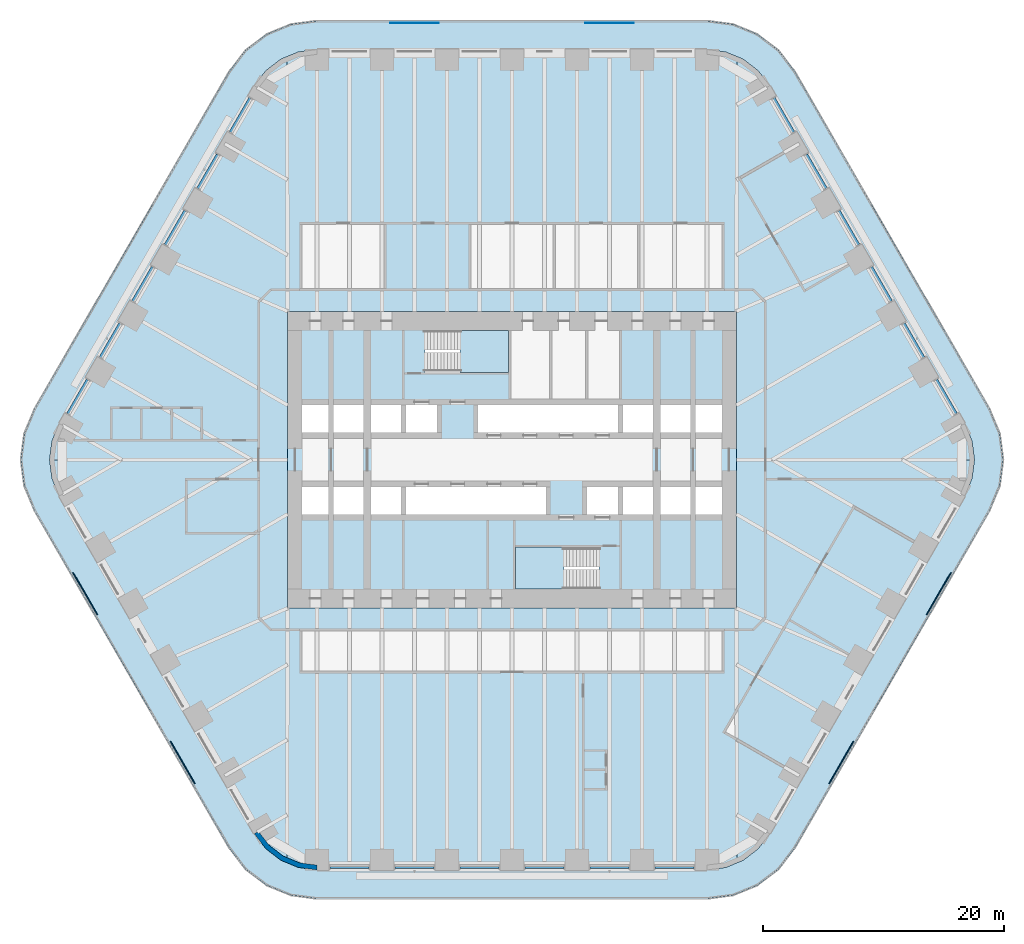
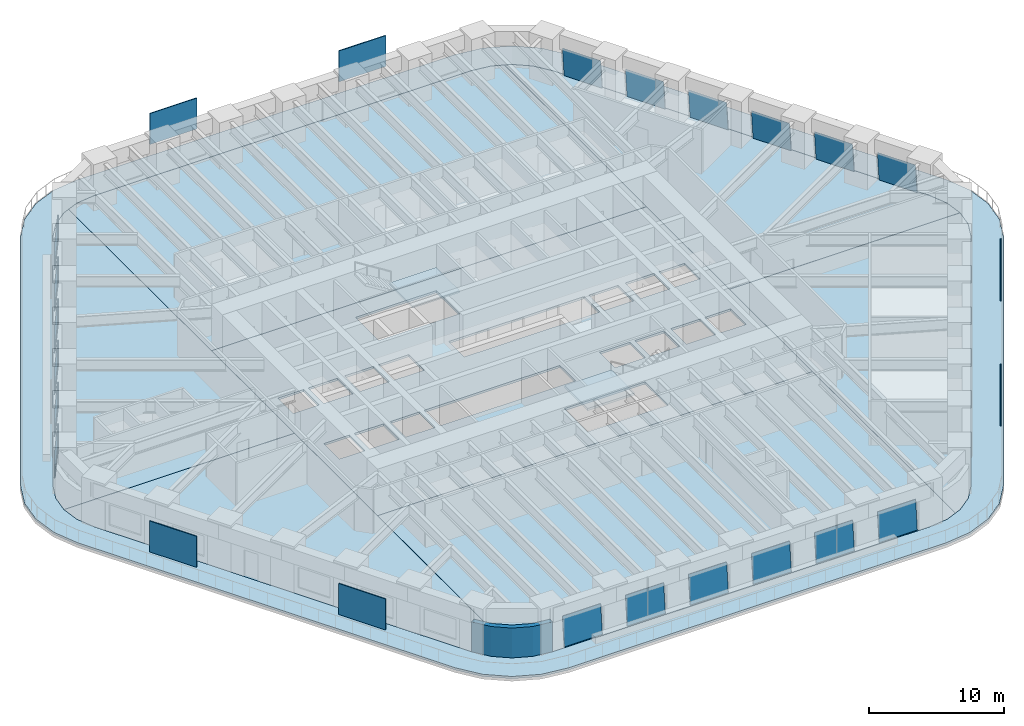
# One storey, part 15 of 23: 24 plates, 10 slabs, 1 wall, 20 elements without a shape of their own.
"""IFC4 building model written with IfcOpenShell, lengths in metres."""

from ifc_helpers import new_model, si_unit, direction, frame, origin, origin_2d, place, context, subcontext, project, spatial, polyline, rectangle, outline, extrude, material, layer, layer_set, type_object, element, aggregate, save


model = new_model("IFC4")

# Units and contexts
model_context = context("Model", 3, precision=1e-05, world=origin(), true_north=direction((0.0, 1.0)))
body_context = subcontext(model_context, "Body", "Model", "MODEL_VIEW")
ifc_project = project(units=[si_unit("LENGTHUNIT", "METRE"), si_unit("AREAUNIT", "SQUARE_METRE"), si_unit("VOLUMEUNIT", "CUBIC_METRE"), si_unit("PLANEANGLEUNIT", "RADIAN"), si_unit("MASSUNIT", "GRAM", prefix="KILO")], contexts=[model_context])

# Site, building, storey
site_placement = place(None, origin())
site = spatial("IfcSite", under=ifc_project, at=site_placement, CompositionType="ELEMENT")
building_placement = place(site_placement, origin())
building = spatial("IfcBuilding", under=site, at=building_placement, Name="Tarfa Lantern Tower", CompositionType="ELEMENT")
storey_placement = place(building_placement, frame((0.0, 0.0, 57.10009765625)))
storey = spatial("IfcBuildingStorey", under=building, at=storey_placement, Name="L12", CompositionType="ELEMENT", Elevation=57.10009765625)

# Slab
ifc_material_1 = material(Name="Concrete C40/50", Category="concrete")
ifc_layer_1 = layer(ifc_material_1, 0.199951171875)
ifc_layer_set_1 = layer_set([ifc_layer_1], Name="BS2 BALCONY SLAB 200")
slab_type_1 = type_object("IfcSlabType", Name="BS2 BALCONY SLAB 200", PredefinedType="FLOOR", material=ifc_layer_set_1)
slab_1_placement = place(storey_placement, frame((0.0, 0.0, -0.2001953125)))
element("IfcSlab", 1, at=slab_1_placement, inside=storey, type_object=slab_type_1, Name="Balcony L12", PredefinedType="FLOOR", context=body_context, shape_type="SweptSolid", body=[
    extrude(outline(polyline([(39.606201171875, 4.199951171875), (23.4404296875, 32.199951171875), (22.10546875, 33.939697265625), (20.36572265625, 35.274658203125), (18.33984375, 36.11376953125), (16.165771484375, 36.39990234375), (-16.165771484375, 36.39990234375), (-18.33984375, 36.11376953125), (-20.36572265625, 35.274658203125), (-22.10546875, 33.939697265625), (-23.4404296875, 32.199951171875), (-39.606201171875, 4.199951171875), (-40.4453125, 2.174072265625), (-40.731689453125, 0.0), (-40.4453125, -2.174072265625), (-39.606201171875, -4.199951171875), (-23.4404296875, -32.199951171875), (-22.10546875, -33.939697265625), (-20.36572265625, -35.274658203125), (-18.33984375, -36.11376953125), (-16.165771484375, -36.39990234375), (16.165771484375, -36.39990234375), (18.33984375, -36.11376953125), (20.36572265625, -35.274658203125), (22.10546875, -33.939697265625), (23.4404296875, -32.199951171875), (39.606201171875, -4.199951171875), (40.4453125, -2.174072265625), (40.731689453125, 0.0), (40.4453125, 2.174072265625), (39.606201171875, 4.199951171875)]), holes=[polyline([(37.52783203125, 3.0), (21.362060546875, 31.0), (20.408447265625, 32.24267578125), (19.165771484375, 33.196044921875), (17.71875, 33.795654296875), (16.165771484375, 34.0), (-16.165771484375, 34.0), (-17.71875, 33.795654296875), (-19.165771484375, 33.196044921875), (-20.408447265625, 32.24267578125), (-21.362060546875, 31.0), (-37.52783203125, 3.0), (-38.127197265625, 1.552978515625), (-38.33154296875, 0.0), (-38.127197265625, -1.552978515625), (-37.52783203125, -3.0), (-21.362060546875, -31.0), (-20.408447265625, -32.24267578125), (-19.165771484375, -33.196044921875), (-17.71875, -33.795654296875), (-16.165771484375, -34.0), (16.165771484375, -34.0), (17.71875, -33.795654296875), (19.165771484375, -33.196044921875), (20.408447265625, -32.24267578125), (21.362060546875, -31.0), (37.52783203125, -3.0), (38.127197265625, -1.552978515625), (38.33154296875, 0.0), (38.127197265625, 1.552978515625), (37.52783203125, 3.0)])]), origin(), (0.0, 0.0, 1.0), 0.2001953125),
])

# Curtain wall, plate
ifc_material_2 = material(Name="Aluminium framed curtain wall", Category="aluminium")
curtain_wall_type = type_object("IfcCurtainWallType", Name="CW1 CANTED GLAZING LOW ZONE 2700", PredefinedType="USERDEFINED", material=ifc_material_2)
curtain_wall_1_placement = place(storey_placement, origin())
curtain_wall_1 = element("IfcCurtainWall", 2, at=curtain_wall_1_placement, inside=storey, type_object=curtain_wall_type, Name="CW1 NE L12", ObjectType="CURTAIN WALL", PredefinedType="USERDEFINED")
ifc_material_3 = material(Name="Laminated double glazing", Category="glass")
ifc_layer_2 = layer(ifc_material_3, 0.028076171875)
ifc_layer_set_2 = layer_set([ifc_layer_2], Name="CWP1 DOUBLE GLAZED PANEL")
plate_type_1 = type_object("IfcPlateType", Name="CWP1 DOUBLE GLAZED PANEL", PredefinedType="CURTAIN_PANEL", material=ifc_layer_set_2)
plate_1_placement = place(storey_placement, frame((36.90869140625, 3.872314453125, 0.0), z_axis=(0.862338266797, 0.497864384763, 0.09221587717), x_axis=(-0.499995082658, 0.86602824279, 2.978908e-06)))
plate_1 = element("IfcPlate", 3, at=plate_1_placement, type_object=plate_type_1, Name="CW1 panel 1.1", PredefinedType="CURTAIN_PANEL", context=body_context, shape_type="SweptSolid", body=[
    extrude(outline(polyline([(0.0, 0.0), (3.258639560562134, 0.0), (3.2585208536427297, 2.646275738901332), (3.3621925729925773e-06, 2.646295235988971), (0.0, 0.0)])), origin(), (0.0, 0.0, -1.0), 0.028076171875),
])
aggregate(curtain_wall_1, [plate_1])

curtain_wall_2_placement = place(storey_placement, origin())
curtain_wall_2 = element("IfcCurtainWall", 4, at=curtain_wall_2_placement, inside=storey, type_object=curtain_wall_type, Name="CW1 NE L12", ObjectType="CURTAIN WALL", PredefinedType="USERDEFINED")
plate_2_placement = place(storey_placement, frame((34.21435546875, 8.5390625, 0.0), z_axis=(0.862325290636, 0.497894194109, 0.092176269198), x_axis=(-0.500022939057, 0.866012159509, 0.0)))
plate_2 = element("IfcPlate", 5, at=plate_2_placement, type_object=plate_type_1, Name="CW1 panel 1.1", PredefinedType="CURTAIN_PANEL", context=body_context, shape_type="SweptSolid", body=[
    extrude(outline(polyline([(0.0, 0.0), (3.2586395622623687, 0.0), (3.2585208519425555, 2.6462757409948594), (-0.0001187103198132533, 2.6462757409948594), (0.0, 0.0)])), origin(), (0.0, 0.0, -1.0), 0.028076171875),
])
aggregate(curtain_wall_2, [plate_2])

curtain_wall_3_placement = place(storey_placement, origin())
curtain_wall_3 = element("IfcCurtainWall", 6, at=curtain_wall_3_placement, inside=storey, type_object=curtain_wall_type, Name="CW1 NE L12", ObjectType="CURTAIN WALL", PredefinedType="USERDEFINED")
plate_3_placement = place(storey_placement, frame((31.52001953125, 13.20556640625, 0.0), z_axis=(0.862341934097, 0.49786650205, 0.092170140692), x_axis=(-0.499994605049, 0.866028518533, -2.977555e-06)))
plate_3 = element("IfcPlate", 7, at=plate_3_placement, type_object=plate_type_1, Name="CW1 panel 1.1", PredefinedType="CURTAIN_PANEL", context=body_context, shape_type="SweptSolid", body=[
    extrude(outline(polyline([(0.0, 0.0), (3.258517491508472, 2.7755575615628914e-17), (3.2587164564684317, 2.646283977845527), (7.689596458644864e-05, 2.6462644896978658), (0.0, 0.0)])), origin(), (0.0, 0.0, -1.0), 0.028076171875),
])
aggregate(curtain_wall_3, [plate_3])

curtain_wall_4_placement = place(storey_placement, origin())
curtain_wall_4 = element("IfcCurtainWall", 8, at=curtain_wall_4_placement, inside=storey, type_object=curtain_wall_type, Name="CW1 NE L12", ObjectType="CURTAIN WALL", PredefinedType="USERDEFINED")
plate_4_placement = place(storey_placement, frame((28.82568359375, 17.872314453125, 0.0), z_axis=(0.862338266797, 0.497864384763, 0.09221587717), x_axis=(-0.499994604812, 0.86602851867, -2.97902e-06)))
plate_4 = element("IfcPlate", 9, at=plate_4_placement, type_object=plate_type_1, Name="CW1 panel 1.1", PredefinedType="CURTAIN_PANEL", context=body_context, shape_type="SweptSolid", body=[
    extrude(outline(polyline([(0.0, 0.0), (3.2585174915084862, -2.7755575615628914e-17), (3.2585050197979823, 2.646295235961718), (-0.000134540705819584, 2.646275738143688), (0.0, 0.0)])), origin(), (0.0, 0.0, -1.0), 0.028076171875),
])
aggregate(curtain_wall_4, [plate_4])

curtain_wall_5_placement = place(storey_placement, origin())
curtain_wall_5 = element("IfcCurtainWall", 10, at=curtain_wall_5_placement, inside=storey, type_object=curtain_wall_type, Name="CW1 NE L12", ObjectType="CURTAIN WALL", PredefinedType="USERDEFINED")
plate_5_placement = place(storey_placement, frame((26.13134765625, 22.5390625, 0.0), z_axis=(0.862338266797, 0.497864384763, 0.09221587717), x_axis=(-0.499994604812, 0.86602851867, -2.97902e-06)))
plate_5 = element("IfcPlate", 11, at=plate_5_placement, type_object=plate_type_1, Name="CW1 panel 1.1", PredefinedType="CURTAIN_PANEL", context=body_context, shape_type="SweptSolid", body=[
    extrude(outline(polyline([(0.0, 0.0), (3.2585174915084862, -2.7755575615628914e-17), (3.2585050197979823, 2.646295235961718), (-0.000134540705819584, 2.646275738143688), (0.0, 0.0)])), origin(), (0.0, 0.0, -1.0), 0.028076171875),
])
aggregate(curtain_wall_5, [plate_5])

curtain_wall_6_placement = place(storey_placement, origin())
curtain_wall_6 = element("IfcCurtainWall", 12, at=curtain_wall_6_placement, inside=storey, type_object=curtain_wall_type, Name="CW1 NE L12", ObjectType="CURTAIN WALL", PredefinedType="USERDEFINED")
plate_6_placement = place(storey_placement, frame((23.437255859375, 27.20556640625, 0.0), z_axis=(0.862341934097, 0.49786650205, 0.092170140692), x_axis=(-0.499995082421, 0.866028242926, 2.977443e-06)))
plate_6 = element("IfcPlate", 13, at=plate_6_placement, type_object=plate_type_1, Name="CW1 panel 1.1", PredefinedType="CURTAIN_PANEL", context=body_context, shape_type="SweptSolid", body=[
    extrude(outline(polyline([(0.0, 0.0), (3.2586395605621195, -2.7755575615628914e-17), (3.2587322823927347, 2.64626448919067), (0.0002147909425344405, 2.6462839766083026), (0.0, 0.0)])), origin(), (0.0, 0.0, -1.0), 0.028076171875),
])
aggregate(curtain_wall_6, [plate_6])

curtain_wall_7_placement = place(storey_placement, origin())
curtain_wall_7 = element("IfcCurtainWall", 14, at=curtain_wall_7_placement, inside=storey, type_object=curtain_wall_type, Name="CW1 NW L12", ObjectType="CURTAIN WALL", PredefinedType="USERDEFINED")
plate_7_placement = place(storey_placement, frame((-21.807861328125, 30.027587890625, 0.0), z_axis=(-0.862341934097, 0.49786650205, 0.092170140692), x_axis=(-0.499995082421, -0.866028242926, -2.977443e-06)))
plate_7 = element("IfcPlate", 15, at=plate_7_placement, type_object=plate_type_1, Name="CW1 panel 1.1", PredefinedType="CURTAIN_PANEL", context=body_context, shape_type="SweptSolid", body=[
    extrude(outline(polyline([(0.0, 0.0), (3.2586395605621195, 2.7755575615628914e-17), (3.2584247696195847, 2.6462839766083026), (-9.272183061532521e-05, 2.64626448919067), (0.0, 0.0)])), origin(), (0.0, 0.0, -1.0), 0.028076171875),
])
aggregate(curtain_wall_7, [plate_7])

curtain_wall_8_placement = place(storey_placement, origin())
curtain_wall_8 = element("IfcCurtainWall", 16, at=curtain_wall_8_placement, inside=storey, type_object=curtain_wall_type, Name="CW1 NW L12", ObjectType="CURTAIN WALL", PredefinedType="USERDEFINED")
plate_8_placement = place(storey_placement, frame((-24.502197265625, 25.361083984375, 0.0), z_axis=(-0.862338266797, 0.497864384763, 0.09221587717), x_axis=(-0.499994604812, -0.86602851867, 2.97902e-06)))
plate_8 = element("IfcPlate", 17, at=plate_8_placement, type_object=plate_type_1, Name="CW1 panel 1.1", PredefinedType="CURTAIN_PANEL", context=body_context, shape_type="SweptSolid", body=[
    extrude(outline(polyline([(0.0, 0.0), (3.2585174915084862, 2.7755575615628914e-17), (3.2586520322143055, 2.646275738143688), (1.2471710504126e-05, 2.646295235961718), (0.0, 0.0)])), origin(), (0.0, 0.0, -1.0), 0.028076171875),
])
aggregate(curtain_wall_8, [plate_8])

curtain_wall_9_placement = place(storey_placement, origin())
curtain_wall_9 = element("IfcCurtainWall", 18, at=curtain_wall_9_placement, inside=storey, type_object=curtain_wall_type, Name="CW1 NW L12", ObjectType="CURTAIN WALL", PredefinedType="USERDEFINED")
plate_9_placement = place(storey_placement, frame((-27.196533203125, 20.6943359375, 0.0), z_axis=(-0.862338266797, 0.497864384763, 0.09221587717), x_axis=(-0.499994604812, -0.86602851867, 2.97902e-06)))
plate_9 = element("IfcPlate", 19, at=plate_9_placement, type_object=plate_type_1, Name="CW1 panel 1.1", PredefinedType="CURTAIN_PANEL", context=body_context, shape_type="SweptSolid", body=[
    extrude(outline(polyline([(0.0, 0.0), (3.2585174915084862, 2.7755575615628914e-17), (3.2586520322143055, 2.646275738143688), (1.2471710504126e-05, 2.646295235961718), (0.0, 0.0)])), origin(), (0.0, 0.0, -1.0), 0.028076171875),
])
aggregate(curtain_wall_9, [plate_9])

curtain_wall_10_placement = place(storey_placement, origin())
curtain_wall_10 = element("IfcCurtainWall", 20, at=curtain_wall_10_placement, inside=storey, type_object=curtain_wall_type, Name="CW1 NW L12", ObjectType="CURTAIN WALL", PredefinedType="USERDEFINED")
plate_10_placement = place(storey_placement, frame((-29.890869140625, 16.027587890625, 0.0), z_axis=(-0.862341934097, 0.49786650205, 0.092170140692), x_axis=(-0.499994605049, -0.866028518533, 2.977555e-06)))
plate_10 = element("IfcPlate", 21, at=plate_10_placement, type_object=plate_type_1, Name="CW1 panel 1.1", PredefinedType="CURTAIN_PANEL", context=body_context, shape_type="SweptSolid", body=[
    extrude(outline(polyline([(0.0, 0.0), (3.258517491508472, -2.7755575615628914e-17), (3.258440595543886, 2.6462644896978658), (-0.00019896495995976314, 2.646283977845527), (0.0, 0.0)])), origin(), (0.0, 0.0, -1.0), 0.028076171875),
])
aggregate(curtain_wall_10, [plate_10])

curtain_wall_11_placement = place(storey_placement, origin())
curtain_wall_11 = element("IfcCurtainWall", 22, at=curtain_wall_11_placement, inside=storey, type_object=curtain_wall_type, Name="CW1 NW L12", ObjectType="CURTAIN WALL", PredefinedType="USERDEFINED")
plate_11_placement = place(storey_placement, frame((-32.5849609375, 11.361083984375, 0.0), z_axis=(-0.862325290636, 0.497894194109, 0.092176269198), x_axis=(-0.500022939057, -0.866012159509, 0.0)))
plate_11 = element("IfcPlate", 23, at=plate_11_placement, type_object=plate_type_1, Name="CW1 panel 1.1", PredefinedType="CURTAIN_PANEL", context=body_context, shape_type="SweptSolid", body=[
    extrude(outline(polyline([(0.0, 0.0), (3.2586395622623687, 0.0), (3.258758272582182, 2.6462757409948594), (0.0001187103198132533, 2.6462757409948594), (0.0, 0.0)])), origin(), (0.0, 0.0, -1.0), 0.028076171875),
])
aggregate(curtain_wall_11, [plate_11])

curtain_wall_12_placement = place(storey_placement, origin())
curtain_wall_12 = element("IfcCurtainWall", 24, at=curtain_wall_12_placement, inside=storey, type_object=curtain_wall_type, Name="CW1 NW L12", ObjectType="CURTAIN WALL", PredefinedType="USERDEFINED")
plate_12_placement = place(storey_placement, frame((-35.279296875, 6.6943359375, 0.0), z_axis=(-0.862338266797, 0.497864384763, 0.09221587717), x_axis=(-0.499995082658, -0.86602824279, -2.978908e-06)))
plate_12 = element("IfcPlate", 25, at=plate_12_placement, type_object=plate_type_1, Name="CW1 panel 1.1", PredefinedType="CURTAIN_PANEL", context=body_context, shape_type="SweptSolid", body=[
    extrude(outline(polyline([(0.0, 0.0), (3.258639560562134, 0.0), (3.258636198369561, 2.646295235988971), (0.00011870691940396534, 2.646275738901332), (0.0, 0.0)])), origin(), (0.0, 0.0, -1.0), 0.028076171875),
])
aggregate(curtain_wall_12, [plate_12])

curtain_wall_13_placement = place(storey_placement, origin())
curtain_wall_13 = element("IfcCurtainWall", 26, at=curtain_wall_13_placement, inside=storey, type_object=curtain_wall_type, Name="CW1 S L12", ObjectType="CURTAIN WALL", PredefinedType="USERDEFINED")
plate_13_placement = place(storey_placement, frame((-15.100830078125, -33.89990234375, 0.0), z_axis=(0.0, -0.995743653657, 0.092166025202), x_axis=(1.0, 0.0, 0.0)))
plate_13 = element("IfcPlate", 27, at=plate_13_placement, type_object=plate_type_1, Name="CW1 panel 1.1", PredefinedType="CURTAIN_PANEL", context=body_context, shape_type="SweptSolid", body=[
    extrude(outline(polyline([(0.0, 0.0), (3.258544921875, 0.0), (3.258544921875, 2.6462732209712594), (0.0, 2.6462732209712594), (0.0, 0.0)])), origin(), (0.0, 0.0, -1.0), 0.028076171875),
])
aggregate(curtain_wall_13, [plate_13])

curtain_wall_14_placement = place(storey_placement, origin())
curtain_wall_14 = element("IfcCurtainWall", 28, at=curtain_wall_14_placement, inside=storey, type_object=curtain_wall_type, Name="CW1 S L12", ObjectType="CURTAIN WALL", PredefinedType="USERDEFINED")
plate_14_placement = place(storey_placement, frame((-9.712158203125, -33.89990234375, 0.0), z_axis=(0.0, -0.995743653657, 0.092166025202), x_axis=(1.0, 0.0, 0.0)))
plate_14 = element("IfcPlate", 29, at=plate_14_placement, type_object=plate_type_1, Name="CW1 panel 1.1", PredefinedType="CURTAIN_PANEL", context=body_context, shape_type="SweptSolid", body=[
    extrude(outline(polyline([(0.0, 0.0), (3.258544921875, 0.0), (3.258544921875, 2.6462732209712594), (0.0, 2.6462732209712594), (0.0, 0.0)])), origin(), (0.0, 0.0, -1.0), 0.028076171875),
])
aggregate(curtain_wall_14, [plate_14])

curtain_wall_15_placement = place(storey_placement, origin())
curtain_wall_15 = element("IfcCurtainWall", 30, at=curtain_wall_15_placement, inside=storey, type_object=curtain_wall_type, Name="CW1 S L12", ObjectType="CURTAIN WALL", PredefinedType="USERDEFINED")
plate_15_placement = place(storey_placement, frame((-4.323486328125, -33.89990234375, 0.0), z_axis=(0.0, -0.995743653657, 0.092166025202), x_axis=(1.0, 0.0, 0.0)))
plate_15 = element("IfcPlate", 31, at=plate_15_placement, type_object=plate_type_1, Name="CW1 panel 1.1", PredefinedType="CURTAIN_PANEL", context=body_context, shape_type="SweptSolid", body=[
    extrude(outline(polyline([(0.0, 0.0), (3.258544921875, 0.0), (3.258544921875, 2.6462732209712594), (0.0, 2.6462732209712594), (0.0, 0.0)])), origin(), (0.0, 0.0, -1.0), 0.028076171875),
])
aggregate(curtain_wall_15, [plate_15])

curtain_wall_16_placement = place(storey_placement, origin())
curtain_wall_16 = element("IfcCurtainWall", 32, at=curtain_wall_16_placement, inside=storey, type_object=curtain_wall_type, Name="CW1 S L12", ObjectType="CURTAIN WALL", PredefinedType="USERDEFINED")
plate_16_placement = place(storey_placement, frame((1.06494140625, -33.89990234375, 0.0), z_axis=(0.0, -0.995743653657, 0.092166025202), x_axis=(1.0, 0.0, 0.0)))
plate_16 = element("IfcPlate", 33, at=plate_16_placement, type_object=plate_type_1, Name="CW1 panel 1.1", PredefinedType="CURTAIN_PANEL", context=body_context, shape_type="SweptSolid", body=[
    extrude(outline(polyline([(0.0, 0.0), (3.258544921875, 0.0), (3.258544921875, 2.6462732209712594), (0.0, 2.6462732209712594), (0.0, 0.0)])), origin(), (0.0, 0.0, -1.0), 0.028076171875),
])
aggregate(curtain_wall_16, [plate_16])

curtain_wall_17_placement = place(storey_placement, origin())
curtain_wall_17 = element("IfcCurtainWall", 34, at=curtain_wall_17_placement, inside=storey, type_object=curtain_wall_type, Name="CW1 S L12", ObjectType="CURTAIN WALL", PredefinedType="USERDEFINED")
plate_17_placement = place(storey_placement, frame((6.45361328125, -33.89990234375, 0.0), z_axis=(0.0, -0.995743653657, 0.092166025202), x_axis=(1.0, 0.0, 0.0)))
plate_17 = element("IfcPlate", 35, at=plate_17_placement, type_object=plate_type_1, Name="CW1 panel 1.1", PredefinedType="CURTAIN_PANEL", context=body_context, shape_type="SweptSolid", body=[
    extrude(outline(polyline([(0.0, 0.0), (3.258544921875, 0.0), (3.258544921875, 2.6462732209712594), (0.0, 2.6462732209712594), (0.0, 0.0)])), origin(), (0.0, 0.0, -1.0), 0.028076171875),
])
aggregate(curtain_wall_17, [plate_17])

curtain_wall_18_placement = place(storey_placement, origin())
curtain_wall_18 = element("IfcCurtainWall", 36, at=curtain_wall_18_placement, inside=storey, type_object=curtain_wall_type, Name="CW1 S L12", ObjectType="CURTAIN WALL", PredefinedType="USERDEFINED")
plate_18_placement = place(storey_placement, frame((11.84228515625, -33.89990234375, 0.0), z_axis=(0.0, -0.995743653657, 0.092166025202), x_axis=(1.0, 0.0, 0.0)))
plate_18 = element("IfcPlate", 37, at=plate_18_placement, type_object=plate_type_1, Name="CW1 panel 1.1", PredefinedType="CURTAIN_PANEL", context=body_context, shape_type="SweptSolid", body=[
    extrude(outline(polyline([(0.0, 0.0), (3.258544921875, 0.0), (3.258544921875, 2.6462732209712594), (0.0, 2.6462732209712594), (0.0, 0.0)])), origin(), (0.0, 0.0, -1.0), 0.028076171875),
])
aggregate(curtain_wall_18, [plate_18])

# Slabs
ifc_layer_3 = layer(ifc_material_1, 0.199951171875)
ifc_layer_set_3 = layer_set([ifc_layer_3], Name="FS1 FLOOR SLAB 200")
slab_type_2 = type_object("IfcSlabType", Name="FS1 FLOOR SLAB 200", PredefinedType="FLOOR", material=ifc_layer_set_3)
slab_2_placement = place(storey_placement, frame((0.0, 0.0, -0.2001953125)))
element("IfcSlab", 38, at=slab_2_placement, inside=storey, type_object=slab_type_2, Name="Floor slab L12", PredefinedType="FLOOR", context=body_context, shape_type="SweptSolid", body=[
    extrude(outline(polyline([(-18.60009765625, -12.300048828125), (18.60009765625, -12.300048828125), (18.60009765625, 12.300048828125), (-18.60009765625, 12.300048828125), (-18.60009765625, -12.300048828125)]), holes=[polyline([(-17.39990234375, 2.25), (-15.199951171875, 2.25), (-15.199951171875, 4.550048828125), (-17.39990234375, 4.550048828125), (-17.39990234375, 2.25)]), polyline([(-14.800048828125, 2.25), (-12.300048828125, 2.25), (-12.300048828125, 4.550048828125), (-14.800048828125, 4.550048828125), (-14.800048828125, 2.25)]), polyline([(-11.699951171875, 2.25), (-9.199951171875, 2.25), (-9.199951171875, 4.550048828125), (-11.699951171875, 4.550048828125), (-11.699951171875, 2.25)]), polyline([(-8.800048828125, 2.25), (-6.199951171875, 2.25), (-6.199951171875, 4.550048828125), (-8.800048828125, 4.550048828125), (-8.800048828125, 2.25)]), polyline([(-2.800048828125, 2.25), (8.800048828125, 2.25), (8.800048828125, 4.550048828125), (-2.800048828125, 4.550048828125), (-2.800048828125, 2.25)]), polyline([(9.199951171875, 2.25), (11.699951171875, 2.25), (11.699951171875, 4.550048828125), (9.199951171875, 4.550048828125), (9.199951171875, 2.25)]), polyline([(12.300048828125, 2.25), (14.800048828125, 2.25), (14.800048828125, 4.550048828125), (12.300048828125, 4.550048828125), (12.300048828125, 2.25)]), polyline([(15.199951171875, 2.25), (17.39990234375, 2.25), (17.39990234375, 4.550048828125), (15.199951171875, 4.550048828125), (15.199951171875, 2.25)]), polyline([(17.39990234375, -2.25), (15.199951171875, -2.25), (15.199951171875, -4.550048828125), (17.39990234375, -4.550048828125), (17.39990234375, -2.25)]), polyline([(14.800048828125, -2.25), (12.300048828125, -2.25), (12.300048828125, -4.550048828125), (14.800048828125, -4.550048828125), (14.800048828125, -2.25)]), polyline([(11.699951171875, -2.25), (9.199951171875, -2.25), (9.199951171875, -4.550048828125), (11.699951171875, -4.550048828125), (11.699951171875, -2.25)]), polyline([(8.800048828125, -2.25), (6.199951171875, -2.25), (6.199951171875, -4.550048828125), (8.800048828125, -4.550048828125), (8.800048828125, -2.25)]), polyline([(2.800048828125, -2.25), (-8.800048828125, -2.25), (-8.800048828125, -4.550048828125), (2.800048828125, -4.550048828125), (2.800048828125, -2.25)]), polyline([(-9.199951171875, -2.25), (-11.699951171875, -2.25), (-11.699951171875, -4.550048828125), (-9.199951171875, -4.550048828125), (-9.199951171875, -2.25)]), polyline([(-12.300048828125, -2.25), (-14.800048828125, -2.25), (-14.800048828125, -4.550048828125), (-12.300048828125, -4.550048828125), (-12.300048828125, -2.25)]), polyline([(-15.199951171875, -2.25), (-17.39990234375, -2.25), (-17.39990234375, -4.550048828125), (-15.199951171875, -4.550048828125), (-15.199951171875, -2.25)]), polyline([(-7.199951171875, 7.25), (-0.300048828125, 7.25), (-0.300048828125, 10.699951171875), (-7.199951171875, 10.699951171875), (-7.199951171875, 7.25)]), polyline([(7.199951171875, -7.25), (0.300048828125, -7.25), (0.300048828125, -10.699951171875), (7.199951171875, -10.699951171875), (7.199951171875, -7.25)])]), origin(), (0.0, 0.0, 1.0), 0.2001953125),
])
slab_3_placement = place(storey_placement, frame((0.0, 0.0, -0.2001953125)))
element("IfcSlab", 39, at=slab_3_placement, inside=storey, type_object=slab_type_2, Name="Floor slab L12 NE bay", PredefinedType="FLOOR", context=body_context, shape_type="SweptSolid", body=[
    extrude(outline(polyline([(37.52587890625, 2.9990234375), (21.3603515625, 30.998779296875), (20.406982421875, 32.2412109375), (19.164794921875, 33.1943359375), (18.64697265625, 33.408935546875), (18.60205078125, 12.300048828125), (18.60205078125, 0.001953125), (38.329345703125, 0.001953125), (38.125244140625, 1.552490234375), (37.52587890625, 2.9990234375)])), origin(), (0.0, 0.0, 1.0), 0.2001953125),
])
slab_4_placement = place(storey_placement, frame((0.0, 0.0, -0.2001953125)))
element("IfcSlab", 40, at=slab_4_placement, inside=storey, type_object=slab_type_2, Name="Floor slab L12 N bay", PredefinedType="FLOOR", context=body_context, shape_type="SweptSolid", body=[
    extrude(outline(polyline([(-18.597900390625, 12.302001953125), (18.597900390625, 12.302001953125), (18.64306640625, 33.41064453125), (17.71826171875, 33.793701171875), (16.165771484375, 33.998046875), (-16.165771484375, 33.998046875), (-17.71826171875, 33.793701171875), (-18.64306640625, 33.41064453125), (-18.597900390625, 12.302001953125)])), origin(), (0.0, 0.0, 1.0), 0.2001953125),
])
slab_5_placement = place(storey_placement, frame((0.0, 0.0, -0.2001953125)))
element("IfcSlab", 41, at=slab_5_placement, inside=storey, type_object=slab_type_2, Name="Floor slab L12 NW bay", PredefinedType="FLOOR", context=body_context, shape_type="SweptSolid", body=[
    extrude(outline(polyline([(-18.60205078125, 0.001953125), (-18.60205078125, 12.300048828125), (-18.64697265625, 33.408935546875), (-19.164794921875, 33.1943359375), (-20.406982421875, 32.2412109375), (-21.3603515625, 30.998779296875), (-37.52587890625, 2.9990234375), (-38.125244140625, 1.552490234375), (-38.329345703125, 0.001953125), (-18.60205078125, 0.001953125)])), origin(), (0.0, 0.0, 1.0), 0.2001953125),
])
slab_6_placement = place(storey_placement, frame((0.0, 0.0, -0.2001953125)))
element("IfcSlab", 42, at=slab_6_placement, inside=storey, type_object=slab_type_2, Name="Floor slab L12 SW bay", PredefinedType="FLOOR", context=body_context, shape_type="SweptSolid", body=[
    extrude(outline(polyline([(-18.60205078125, -12.300048828125), (-18.60205078125, -0.001953125), (-38.329345703125, -0.001953125), (-38.125244140625, -1.552490234375), (-37.52587890625, -2.9990234375), (-21.3603515625, -30.998779296875), (-20.406982421875, -32.2412109375), (-19.164794921875, -33.1943359375), (-18.64697265625, -33.408935546875), (-18.60205078125, -12.300048828125)])), origin(), (0.0, 0.0, 1.0), 0.2001953125),
])
slab_7_placement = place(storey_placement, frame((0.0, 0.0, -0.2001953125)))
element("IfcSlab", 43, at=slab_7_placement, inside=storey, type_object=slab_type_2, Name="Floor slab L12 S bay", PredefinedType="FLOOR", context=body_context, shape_type="SweptSolid", body=[
    extrude(outline(polyline([(18.597900390625, -12.302001953125), (-18.597900390625, -12.302001953125), (-18.64306640625, -33.41064453125), (-17.71826171875, -33.793701171875), (-16.165771484375, -33.998046875), (16.165771484375, -33.998046875), (17.71826171875, -33.793701171875), (18.64306640625, -33.41064453125), (18.597900390625, -12.302001953125)])), origin(), (0.0, 0.0, 1.0), 0.2001953125),
])
slab_8_placement = place(storey_placement, frame((0.0, 0.0, -0.2001953125)))
element("IfcSlab", 44, at=slab_8_placement, inside=storey, type_object=slab_type_2, Name="Floor slab L12 SE bay", PredefinedType="FLOOR", context=body_context, shape_type="SweptSolid", body=[
    extrude(outline(polyline([(18.60205078125, -0.001953125), (18.60205078125, -12.300048828125), (18.64697265625, -33.408935546875), (19.164794921875, -33.1943359375), (20.406982421875, -32.2412109375), (21.3603515625, -30.998779296875), (37.52587890625, -2.9990234375), (38.125244140625, -1.552490234375), (38.329345703125, -0.001953125), (18.60205078125, -0.001953125)])), origin(), (0.0, 0.0, 1.0), 0.2001953125),
])

# Plates
ifc_material_4 = material(Name="Perforated limestone screen", Category="masonry")
ifc_layer_4 = layer(ifc_material_4, 0.080078125)
ifc_layer_set_4 = layer_set([ifc_layer_4], Name="SC1 STONE SCREEN 80")
plate_type_2 = type_object("IfcPlateType", Name="SC1 STONE SCREEN 80", PredefinedType="USERDEFINED", material=ifc_layer_set_4)
for number, where, z_axis, x_axis, name in (
    (45, (8.0830078125, 36.199951171875, 1.19970703125), (0.0, 0.0, 1.0), (-1.0, 0.0, 0.0), "Stone screen N 1"),
    (46, (-8.0830078125, 36.199951171875, 1.19970703125), (0.0, 0.0, 1.0), (-1.0, 0.0, 0.0), "Stone screen N 2"),
    (47, (-35.3916015625, -11.10009765625, 1.19970703125), (0.0, 0.0, 1.0), (0.5, -0.866025403784, 0.0), "Stone screen SW 1"),
    (48, (-27.30859375, -25.10009765625, 1.19970703125), (0.0, 0.0, 1.0), (0.5, -0.866025403784, 0.0), "Stone screen SW 2"),
    (49, (27.30859375, -25.10009765625, 1.19970703125), (0.0, 0.0, 1.0), (0.5, 0.866025403784, 0.0), "Stone screen SE 1"),
    (50, (35.3916015625, -11.10009765625, 1.19970703125), (0.0, 0.0, 1.0), (0.5, 0.866025403784, 0.0), "Stone screen SE 2"),
):
    element("IfcPlate", number, at=place(storey_placement, frame(where, z_axis=z_axis, x_axis=x_axis)), inside=storey, type_object=plate_type_2, Name=name, ObjectType="SCREEN", PredefinedType="USERDEFINED", context=body_context, shape_type="SweptSolid", body=[
        extrude(rectangle(XDim=4.0, YDim=0.080078125, at=origin_2d()), origin(), (0.0, 0.0, 1.0), 2.800048828125),
    ])

# Stair, slab
stair_type = type_object("IfcStairType", Name="ST-T10 HALF-TURN STAIR 4200 RISE", PredefinedType="HALF_TURN_STAIR", material=ifc_material_1)
stair_1_placement = place(storey_placement, origin())
stair_1 = element("IfcStair", 51, at=stair_1_placement, inside=storey, type_object=stair_type, Name="Stair ST1", PredefinedType="HALF_TURN_STAIR")
ifc_layer_5 = layer(ifc_material_1, 0.199951171875)
ifc_layer_set_5 = layer_set([ifc_layer_5], Name="SL1 STAIR LANDING 200")
slab_type_3 = type_object("IfcSlabType", Name="SL1 STAIR LANDING 200", PredefinedType="LANDING", material=ifc_layer_set_5)
slab_9_placement = place(storey_placement, frame((0.0, 0.0, 1.89990234375)))
slab_9 = element("IfcSlab", 52, at=slab_9_placement, type_object=slab_type_3, Name="ST1 landing 1", PredefinedType="LANDING", context=body_context, shape_type="SweptSolid", body=[
    extrude(outline(polyline([(-4.320068359375, 7.25), (-0.300048828125, 7.25), (-0.300048828125, 10.699951171875), (-4.320068359375, 10.699951171875), (-4.320068359375, 7.25)])), origin(), (0.0, 0.0, 1.0), 0.199951171875),
])
aggregate(stair_1, [slab_9])

stair_2_placement = place(storey_placement, origin())
stair_2 = element("IfcStair", 53, at=stair_2_placement, inside=storey, type_object=stair_type, Name="Stair ST2", PredefinedType="HALF_TURN_STAIR")
slab_10_placement = place(storey_placement, frame((0.0, 0.0, 1.89990234375)))
slab_10 = element("IfcSlab", 54, at=slab_10_placement, type_object=slab_type_3, Name="ST2 landing 1", PredefinedType="LANDING", context=body_context, shape_type="SweptSolid", body=[
    extrude(outline(polyline([(4.320068359375, -7.25), (0.300048828125, -7.25), (0.300048828125, -10.699951171875), (4.320068359375, -10.699951171875), (4.320068359375, -7.25)])), origin(), (0.0, 0.0, 1.0), 0.199951171875),
])
aggregate(stair_2, [slab_10])

# Wall
ifc_material_5 = material(Name="Limestone cladding on blockwork", Category="masonry")
ifc_layer_6 = layer(ifc_material_5, 0.39990234375)
ifc_layer_set_6 = layer_set([ifc_layer_6], Name="EW2 CURVED STONE CORNER 400")
wall_type = type_object("IfcWallType", Name="EW2 CURVED STONE CORNER 400", PredefinedType="SOLIDWALL", material=ifc_layer_set_6)
wall_placement = place(storey_placement, origin())
element("IfcWall", 55, at=wall_placement, inside=storey, type_object=wall_type, Name="Stone corner SW-S", PredefinedType="SOLIDWALL", context=body_context, shape_type="SweptSolid", body=[
    extrude(outline(polyline([(-21.362060546875, -31.0), (-20.408447265625, -32.24267578125), (-19.165771484375, -33.196044921875), (-17.71875, -33.795654296875), (-16.165771484375, -34.0), (-16.165771484375, -33.60009765625), (-17.615234375, -33.4091796875), (-18.9658203125, -32.849853515625), (-20.12548828125, -31.959716796875), (-21.015625, -30.800048828125), (-21.362060546875, -31.0)])), origin(), (0.0, 0.0, 1.0), 2.699951171875),
])

save(model, "model.ifc")
